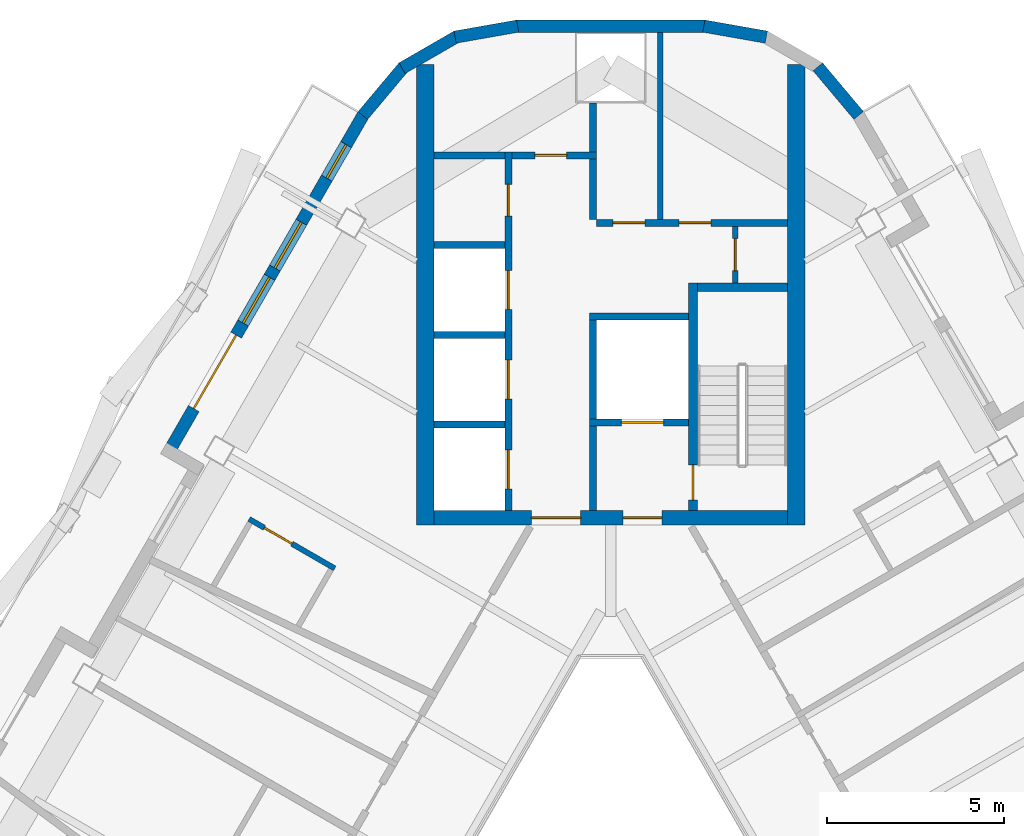
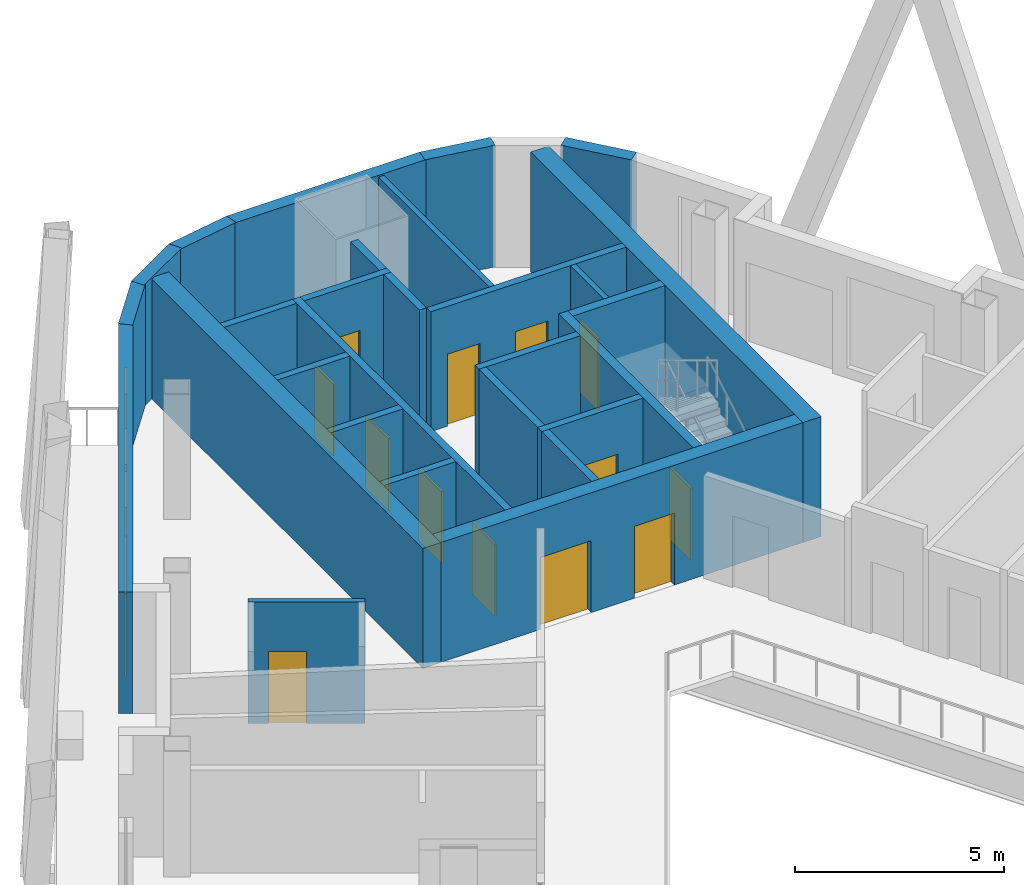
# One storey, part 7 of 14: 28 walls, 14 doors, 3 windows, 17 openings.
"""IFC4 building model written with IfcOpenShell, lengths in metres."""

from ifc_helpers import new_model, si_unit, direction, frame, frame_2d, origin, place, context, subcontext, project, spatial, rectangle, extrude, material, layer, layer_set, type_object, element, fill, save


model = new_model("IFC4")

# Units and contexts
model_context = context("Model", 3, precision=1e-05, world=origin(), true_north=direction((0.0, 1.0)))
body_context = subcontext(model_context, "Body", "Model", "MODEL_VIEW")
ifc_project = project(units=[si_unit("LENGTHUNIT", "METRE"), si_unit("AREAUNIT", "SQUARE_METRE"), si_unit("VOLUMEUNIT", "CUBIC_METRE"), si_unit("PLANEANGLEUNIT", "RADIAN"), si_unit("MASSUNIT", "GRAM", prefix="KILO")], contexts=[model_context])

# Site, building, storey
site_placement = place(None, origin())
site = spatial("IfcSite", under=ifc_project, at=site_placement, CompositionType="ELEMENT")
building_placement = place(site_placement, origin())
building = spatial("IfcBuilding", under=site, at=building_placement, Name="Apuvela Tower Hotel", CompositionType="ELEMENT")
storey_placement = place(building_placement, frame((0.0, 0.0, 268.89990234375)))
storey = spatial("IfcBuildingStorey", under=building, at=storey_placement, Name="L66", CompositionType="ELEMENT", Elevation=268.89990234375)

# Wall, openings, doors
ifc_material_1 = material(Name="Concrete C50/60", Category="concrete")
ifc_layer_1 = layer(ifc_material_1, 0.39990234375)
ifc_layer_set_1 = layer_set([ifc_layer_1], Name="COR-WALL-CORE-400")
wall_type_1 = type_object("IfcWallType", Name="COR-WALL-CORE-400", PredefinedType="SHEAR", material=ifc_layer_set_1)
wall_1_placement = place(storey_placement, frame((5.0, 13.10009765625, 0.0), z_axis=(0.0, 0.0, 1.0), x_axis=(-1.0, 0.0, 0.0)))
wall_1 = element("IfcWall", 1, at=wall_1_placement, inside=storey, type_object=wall_type_1, Name="Core wall N", PredefinedType="SHEAR", context=body_context, shape_type="SweptSolid", body=[
    extrude(rectangle(XDim=10.0, YDim=0.39990234375, at=frame_2d((5.0, 0.0))), origin(), (0.0, 0.0, 1.0), 3.5),
])
opening_1_placement = place(wall_1_placement, frame((3.550048828125, 0.0, 0.0)))
opening_1 = element("IfcOpeningElement", 2, at=opening_1_placement, cuts=wall_1, Name="Opening N-FD", PredefinedType="OPENING", context=body_context, shape_type="SweptSolid", body=[
    extrude(rectangle(XDim=1.10009765625, YDim=2.10009765625, at=frame_2d((0.550048828125, 1.050048828125))), frame((0.0, 0.2099609375, 0.0), z_axis=(0.0, -1.0, 0.0), x_axis=(1.0, 0.0, 0.0)), (0.0, 0.0, 1.0), 0.419921875),
])
opening_2_placement = place(wall_1_placement, frame((5.85009765625, 0.0, 0.0)))
opening_2 = element("IfcOpeningElement", 3, at=opening_2_placement, cuts=wall_1, Name="Opening N-GD", PredefinedType="OPENING", context=body_context, shape_type="SweptSolid", body=[
    extrude(rectangle(XDim=1.39990234375, YDim=2.10009765625, at=frame_2d((0.699951171875, 1.050048828125))), frame((0.0, 0.2099609375, 0.0), z_axis=(0.0, -1.0, 0.0), x_axis=(1.0, 0.0, 0.0)), (0.0, 0.0, 1.0), 0.419921875),
])
ifc_material_2 = material(Name="Steel fire door, powder coated", Category="steel")
door_type_1 = type_object("IfcDoorType", Name="COR-FD-1100", OperationType="NOTDEFINED", PredefinedType="DOOR", material=ifc_material_2)
door_1_placement = place(opening_1_placement, frame((1.10009765625, 0.0, 0.0), z_axis=(0.0, 0.0, 1.0), x_axis=(-1.0, 0.0, 0.0)))
door_1 = element("IfcDoor", 4, at=door_1_placement, inside=storey, type_object=door_type_1, Name="Firefighting lobby door N-FD", OperationType="SINGLE_SWING_LEFT", OverallHeight=2.10009765625, OverallWidth=1.10009765625, PredefinedType="DOOR", context=body_context, shape_type="SweptSolid", body=[
    extrude(rectangle(XDim=1.10009765625, YDim=2.10009765625, at=frame_2d((0.550048828125, 1.050048828125))), frame((0.0, 0.02490234375, 0.0), z_axis=(0.0, -1.0, 0.0), x_axis=(1.0, 0.0, 0.0)), (0.0, 0.0, 1.0), 0.050048828125),
])
fill(opening_1, door_1)
ifc_material_3 = material(Name="Glazed steel fire door", Category="steel")
door_type_2 = type_object("IfcDoorType", Name="COR-GD-1400", OperationType="DOUBLE_DOOR_SINGLE_SWING", PredefinedType="DOOR", material=ifc_material_3)
door_2_placement = place(opening_2_placement, frame((1.39990234375, 0.0, 0.0), z_axis=(0.0, 0.0, 1.0), x_axis=(-1.0, 0.0, 0.0)))
door_2 = element("IfcDoor", 5, at=door_2_placement, inside=storey, type_object=door_type_2, Name="Lift lobby door N-GD", OperationType="DOUBLE_DOOR_SINGLE_SWING", OverallHeight=2.10009765625, OverallWidth=1.39990234375, PredefinedType="DOOR", context=body_context, shape_type="SweptSolid", body=[
    extrude(rectangle(XDim=1.39990234375, YDim=2.10009765625, at=frame_2d((0.699951171875, 1.050048828125))), frame((0.0, 0.02490234375, 0.0), z_axis=(0.0, -1.0, 0.0), x_axis=(1.0, 0.0, 0.0)), (0.0, 0.0, 1.0), 0.050048828125),
])
fill(opening_2, door_2)

# Walls
ifc_layer_2 = layer(ifc_material_1, 0.5)
ifc_layer_set_2 = layer_set([ifc_layer_2], Name="COR-WALL-CORE-500")
wall_type_2 = type_object("IfcWallType", Name="COR-WALL-CORE-500", PredefinedType="SHEAR", material=ifc_layer_set_2)
for number, where, z_axis, x_axis, name in (
    (6, (5.25, 12.89990234375, 0.0), (0.0, 0.0, 1.0), (0.0, 1.0, 0.0), "Core wall N"),
    (7, (-5.25, 12.89990234375, 0.0), (0.0, 0.0, 1.0), (0.0, 1.0, 0.0), "Core wall N"),
):
    element("IfcWall", number, at=place(storey_placement, frame(where, z_axis=z_axis, x_axis=x_axis)), inside=storey, type_object=wall_type_2, Name=name, PredefinedType="SHEAR", context=body_context, shape_type="SweptSolid", body=[
        extrude(rectangle(XDim=13.031494140625, YDim=0.5, at=frame_2d((6.515625, 0.0))), origin(), (0.0, 0.0, 1.0), 3.5),
    ])

# Wall, opening, door
ifc_material_4 = material(Name="Blockwork 150 mm plastered", Category="masonry")
ifc_layer_3 = layer(ifc_material_4, 0.14990234375)
ifc_layer_set_3 = layer_set([ifc_layer_3], Name="COR-WALL-PART-150")
wall_type_3 = type_object("IfcWallType", Name="COR-WALL-PART-150", PredefinedType="PARTITIONING", material=ifc_layer_set_3)
wall_2_placement = place(storey_placement, frame((3.52490234375, 19.75, 0.0), z_axis=(0.0, 0.0, 1.0), x_axis=(0.0, 1.0, 0.0)))
wall_2 = element("IfcWall", 8, at=wall_2_placement, inside=storey, type_object=wall_type_3, Name="Partition N", PredefinedType="PARTITIONING", context=body_context, shape_type="SweptSolid", body=[
    extrude(rectangle(XDim=1.60009765625, YDim=0.14990234375, at=frame_2d((0.800048828125, 0.0))), origin(), (0.0, 0.0, 1.0), 3.5),
])
opening_3_placement = place(wall_2_placement, frame((0.35009765625, 0.0, 0.0)))
opening_3 = element("IfcOpeningElement", 9, at=opening_3_placement, cuts=wall_2, Name="Opening N-RD", PredefinedType="OPENING", context=body_context, shape_type="SweptSolid", body=[
    extrude(rectangle(XDim=0.89990234375, YDim=2.10009765625, at=frame_2d((0.449951171875, 1.050048828125))), frame((0.0, 0.0849609375, 0.0), z_axis=(0.0, -1.0, 0.0), x_axis=(1.0, 0.0, 0.0)), (0.0, 0.0, 1.0), 0.169921875),
])
ifc_material_5 = material(Name="Steel access door, powder coated", Category="steel")
door_type_3 = type_object("IfcDoorType", Name="COR-RD-900", OperationType="NOTDEFINED", PredefinedType="DOOR", material=ifc_material_5)
door_3_placement = place(opening_3_placement, frame((0.89990234375, 0.0, 0.0), z_axis=(0.0, 0.0, 1.0), x_axis=(-1.0, 0.0, 0.0)))
door_3 = element("IfcDoor", 10, at=door_3_placement, inside=storey, type_object=door_type_3, Name="Riser door N-RD", OperationType="SINGLE_SWING_RIGHT", OverallHeight=2.10009765625, OverallWidth=0.89990234375, PredefinedType="DOOR", context=body_context, shape_type="SweptSolid", body=[
    extrude(rectangle(XDim=0.89990234375, YDim=2.10009765625, at=frame_2d((0.449951171875, 1.050048828125))), frame((0.0, 0.02490234375, 0.0), z_axis=(0.0, -1.0, 0.0), x_axis=(1.0, 0.0, 0.0)), (0.0, 0.0, 1.0), 0.050048828125),
])
fill(opening_3, door_3)

# Wall
wall_3_placement = place(storey_placement, frame((1.39990234375, 21.550048828125, 0.0), z_axis=(0.0, 0.0, 1.0), x_axis=(0.0, 1.0, 0.0)))
element("IfcWall", 11, at=wall_3_placement, inside=storey, type_object=wall_type_3, Name="Partition N", PredefinedType="PARTITIONING", context=body_context, shape_type="SweptSolid", body=[
    extrude(rectangle(XDim=5.29248046875, YDim=0.14990234375, at=frame_2d((2.646240234375, 0.0))), origin(), (0.0, 0.0, 1.0), 3.5),
])

# Wall, openings, doors
ifc_material_6 = material(Name="Blockwork 200 mm plastered", Category="masonry")
ifc_layer_4 = layer(ifc_material_6, 0.199951171875)
ifc_layer_set_4 = layer_set([ifc_layer_4], Name="COR-WALL-PART-200")
wall_type_4 = type_object("IfcWallType", Name="COR-WALL-PART-200", PredefinedType="PARTITIONING", material=ifc_layer_set_4)
wall_4_placement = place(storey_placement, frame((5.0, 21.449951171875, 0.0), z_axis=(0.0, 0.0, 1.0), x_axis=(-1.0, 0.0, 0.0)))
wall_4 = element("IfcWall", 12, at=wall_4_placement, inside=storey, type_object=wall_type_4, Name="Partition N", PredefinedType="PARTITIONING", context=body_context, shape_type="SweptSolid", body=[
    extrude(rectangle(XDim=5.39990234375, YDim=0.199951171875, at=frame_2d((2.699951171875, 0.0))), origin(), (0.0, 0.0, 1.0), 3.5),
])
opening_4_placement = place(wall_4_placement, frame((2.16259765625, 0.0, 0.0)))
opening_4 = element("IfcOpeningElement", 13, at=opening_4_placement, cuts=wall_4, Name="Opening N-RS1", PredefinedType="OPENING", context=body_context, shape_type="SweptSolid", body=[
    extrude(rectangle(XDim=0.89990234375, YDim=2.10009765625, at=frame_2d((0.449951171875, 1.050048828125))), frame((0.0, 0.10986328125, 0.0), z_axis=(0.0, -1.0, 0.0), x_axis=(1.0, 0.0, 0.0)), (0.0, 0.0, 1.0), 0.219970703125),
])
opening_5_placement = place(wall_4_placement, frame((4.03759765625, 0.0, 0.0)))
opening_5 = element("IfcOpeningElement", 14, at=opening_5_placement, cuts=wall_4, Name="Opening N-RS2", PredefinedType="OPENING", context=body_context, shape_type="SweptSolid", body=[
    extrude(rectangle(XDim=0.89990234375, YDim=2.10009765625, at=frame_2d((0.449951171875, 1.050048828125))), frame((0.0, 0.10986328125, 0.0), z_axis=(0.0, -1.0, 0.0), x_axis=(1.0, 0.0, 0.0)), (0.0, 0.0, 1.0), 0.219970703125),
])
door_type_4 = type_object("IfcDoorType", Name="COR-DR-900", OperationType="NOTDEFINED", PredefinedType="DOOR", material=ifc_material_2)
door_4_placement = place(opening_4_placement, frame((0.89990234375, 0.0, 0.0), z_axis=(0.0, 0.0, 1.0), x_axis=(-1.0, 0.0, 0.0)))
door_4 = element("IfcDoor", 15, at=door_4_placement, inside=storey, type_object=door_type_4, Name="Store door N-RS1", OperationType="SINGLE_SWING_LEFT", OverallHeight=2.10009765625, OverallWidth=0.89990234375, PredefinedType="DOOR", context=body_context, shape_type="SweptSolid", body=[
    extrude(rectangle(XDim=0.89990234375, YDim=2.10009765625, at=frame_2d((0.449951171875, 1.050048828125))), frame((0.0, 0.02490234375, 0.0), z_axis=(0.0, -1.0, 0.0), x_axis=(1.0, 0.0, 0.0)), (0.0, 0.0, 1.0), 0.050048828125),
])
fill(opening_4, door_4)
door_5_placement = place(opening_5_placement, frame((0.89990234375, 0.0, 0.0), z_axis=(0.0, 0.0, 1.0), x_axis=(-1.0, 0.0, 0.0)))
door_5 = element("IfcDoor", 16, at=door_5_placement, inside=storey, type_object=door_type_4, Name="Store door N-RS2", OperationType="SINGLE_SWING_RIGHT", OverallHeight=2.10009765625, OverallWidth=0.89990234375, PredefinedType="DOOR", context=body_context, shape_type="SweptSolid", body=[
    extrude(rectangle(XDim=0.89990234375, YDim=2.10009765625, at=frame_2d((0.449951171875, 1.050048828125))), frame((0.0, 0.02490234375, 0.0), z_axis=(0.0, -1.0, 0.0), x_axis=(1.0, 0.0, 0.0)), (0.0, 0.0, 1.0), 0.050048828125),
])
fill(opening_5, door_5)

# Wall
ifc_layer_5 = layer(ifc_material_1, 0.199951171875)
ifc_layer_set_5 = layer_set([ifc_layer_5], Name="COR-WALL-SHAFT-200")
wall_type_5 = type_object("IfcWallType", Name="COR-WALL-SHAFT-200", PredefinedType="SHEAR", material=ifc_layer_set_5)
wall_5_placement = place(storey_placement, frame((2.199951171875, 18.800048828125, 0.0), z_axis=(0.0, 0.0, 1.0), x_axis=(-1.0, 0.0, 0.0)))
element("IfcWall", 17, at=wall_5_placement, inside=storey, type_object=wall_type_5, Name="Shaft wall N", PredefinedType="SHEAR", context=body_context, shape_type="SweptSolid", body=[
    extrude(rectangle(XDim=2.800048828125, YDim=0.199951171875, at=frame_2d((1.39990234375, 0.0))), origin(), (0.0, 0.0, 1.0), 3.5),
])

# Wall, opening, door
wall_6_placement = place(storey_placement, frame((2.199951171875, 15.800048828125, 0.0), z_axis=(0.0, 0.0, 1.0), x_axis=(-1.0, 0.0, 0.0)))
wall_6 = element("IfcWall", 18, at=wall_6_placement, inside=storey, type_object=wall_type_5, Name="Shaft wall N", PredefinedType="SHEAR", context=body_context, shape_type="SweptSolid", body=[
    extrude(rectangle(XDim=2.800048828125, YDim=0.199951171875, at=frame_2d((1.39990234375, 0.0))), origin(), (0.0, 0.0, 1.0), 3.5),
])
opening_6_placement = place(wall_6_placement, frame((0.699951171875, 0.0, 0.0)))
opening_6 = element("IfcOpeningElement", 19, at=opening_6_placement, cuts=wall_6, Name="Opening N-LD-FS1", PredefinedType="OPENING", context=body_context, shape_type="SweptSolid", body=[
    extrude(rectangle(XDim=1.199951171875, YDim=2.10009765625, at=frame_2d((0.60009765625, 1.050048828125))), frame((0.0, 0.10986328125, 0.0), z_axis=(0.0, -1.0, 0.0), x_axis=(1.0, 0.0, 0.0)), (0.0, 0.0, 1.0), 0.219970703125),
])
ifc_material_7 = material(Name="Stainless steel lift landing door", Category="steel")
door_type_5 = type_object("IfcDoorType", Name="COR-LD-1200", OperationType="DOUBLE_DOOR_SLIDING", PredefinedType="DOOR", material=ifc_material_7)
door_6_placement = place(opening_6_placement, origin())
door_6 = element("IfcDoor", 20, at=door_6_placement, inside=storey, type_object=door_type_5, Name="Lift landing door N-LD-FS1", OperationType="DOUBLE_DOOR_SLIDING", OverallHeight=2.10009765625, OverallWidth=1.199951171875, PredefinedType="DOOR", context=body_context, shape_type="SweptSolid", body=[
    extrude(rectangle(XDim=1.199951171875, YDim=2.10009765625, at=frame_2d((0.60009765625, 1.050048828125))), frame((0.0, 0.02490234375, 0.0), z_axis=(0.0, -1.0, 0.0), x_axis=(1.0, 0.0, 0.0)), (0.0, 0.0, 1.0), 0.050048828125),
])
fill(opening_6, door_6)

# Walls
wall_7_placement = place(storey_placement, frame((-0.5, 15.89990234375, 0.0), z_axis=(0.0, 0.0, 1.0), x_axis=(0.0, 1.0, 0.0)))
element("IfcWall", 21, at=wall_7_placement, inside=storey, type_object=wall_type_5, Name="Shaft wall N", PredefinedType="SHEAR", context=body_context, shape_type="SweptSolid", body=[
    extrude(rectangle(XDim=2.800048828125, YDim=0.199951171875, at=frame_2d((1.39990234375, 0.0))), origin(), (0.0, 0.0, 1.0), 3.5),
])
wall_8_placement = place(storey_placement, frame((-0.5, 13.300048828125, 0.0), z_axis=(0.0, 0.0, 1.0), x_axis=(0.0, 1.0, 0.0)))
element("IfcWall", 22, at=wall_8_placement, inside=storey, type_object=wall_type_5, Name="Shaft wall N", PredefinedType="SHEAR", context=body_context, shape_type="SweptSolid", body=[
    extrude(rectangle(XDim=2.39990234375, YDim=0.199951171875, at=frame_2d((1.199951171875, 0.0))), origin(), (0.0, 0.0, 1.0), 3.5),
])

# Wall, openings, doors
wall_9_placement = place(storey_placement, frame((-2.89990234375, 13.300048828125, 0.0), z_axis=(0.0, 0.0, 1.0), x_axis=(0.0, 1.0, 0.0)))
wall_9 = element("IfcWall", 23, at=wall_9_placement, inside=storey, type_object=wall_type_5, Name="Shaft wall N", PredefinedType="SHEAR", context=body_context, shape_type="SweptSolid", body=[
    extrude(rectangle(XDim=10.159912109375, YDim=0.199951171875, at=frame_2d((5.080078125, 0.0))), origin(), (0.0, 0.0, 1.0), 3.5),
])
opening_7_placement = place(wall_9_placement, frame((0.6201171875, 0.0, 0.0)))
opening_7 = element("IfcOpeningElement", 24, at=opening_7_placement, cuts=wall_9, Name="Opening N-LD-HR1", PredefinedType="OPENING", context=body_context, shape_type="SweptSolid", body=[
    extrude(rectangle(XDim=1.10009765625, YDim=2.10009765625, at=frame_2d((0.550048828125, 1.050048828125))), frame((0.0, 0.10986328125, 0.0), z_axis=(0.0, -1.0, 0.0), x_axis=(1.0, 0.0, 0.0)), (0.0, 0.0, 1.0), 0.219970703125),
])
opening_8_placement = place(wall_9_placement, frame((3.159912109375, 0.0, 0.0)))
opening_8 = element("IfcOpeningElement", 25, at=opening_8_placement, cuts=wall_9, Name="Opening N-LD-HR2", PredefinedType="OPENING", context=body_context, shape_type="SweptSolid", body=[
    extrude(rectangle(XDim=1.10009765625, YDim=2.10009765625, at=frame_2d((0.550048828125, 1.050048828125))), frame((0.0, 0.10986328125, 0.0), z_axis=(0.0, -1.0, 0.0), x_axis=(1.0, 0.0, 0.0)), (0.0, 0.0, 1.0), 0.219970703125),
])
opening_9_placement = place(wall_9_placement, frame((5.699951171875, 0.0, 0.0)))
opening_9 = element("IfcOpeningElement", 26, at=opening_9_placement, cuts=wall_9, Name="Opening N-LD-HR4", PredefinedType="OPENING", context=body_context, shape_type="SweptSolid", body=[
    extrude(rectangle(XDim=1.10009765625, YDim=2.10009765625, at=frame_2d((0.550048828125, 1.050048828125))), frame((0.0, 0.10986328125, 0.0), z_axis=(0.0, -1.0, 0.0), x_axis=(1.0, 0.0, 0.0)), (0.0, 0.0, 1.0), 0.219970703125),
])
opening_10_placement = place(wall_9_placement, frame((8.340087890625, 0.0, 0.0)))
opening_10 = element("IfcOpeningElement", 27, at=opening_10_placement, cuts=wall_9, Name="Opening N-RE4", PredefinedType="OPENING", context=body_context, shape_type="SweptSolid", body=[
    extrude(rectangle(XDim=0.89990234375, YDim=2.10009765625, at=frame_2d((0.449951171875, 1.050048828125))), frame((0.0, 0.10986328125, 0.0), z_axis=(0.0, -1.0, 0.0), x_axis=(1.0, 0.0, 0.0)), (0.0, 0.0, 1.0), 0.219970703125),
])
door_7_placement = place(opening_10_placement, origin())
door_7 = element("IfcDoor", 28, at=door_7_placement, inside=storey, type_object=door_type_4, Name="Store door N-RE4", OperationType="SINGLE_SWING_LEFT", OverallHeight=2.10009765625, OverallWidth=0.89990234375, PredefinedType="DOOR", context=body_context, shape_type="SweptSolid", body=[
    extrude(rectangle(XDim=0.89990234375, YDim=2.10009765625, at=frame_2d((0.449951171875, 1.050048828125))), frame((0.0, 0.02490234375, 0.0), z_axis=(0.0, -1.0, 0.0), x_axis=(1.0, 0.0, 0.0)), (0.0, 0.0, 1.0), 0.050048828125),
])
fill(opening_10, door_7)
door_type_6 = type_object("IfcDoorType", Name="COR-LD-1100", OperationType="DOUBLE_DOOR_SLIDING", PredefinedType="DOOR", material=ifc_material_7)
door_8_placement = place(opening_7_placement, origin())
door_8 = element("IfcDoor", 29, at=door_8_placement, inside=storey, type_object=door_type_6, Name="Lift landing door N-LD-HR1", OperationType="DOUBLE_DOOR_SLIDING", OverallHeight=2.10009765625, OverallWidth=1.10009765625, PredefinedType="DOOR", context=body_context, shape_type="SweptSolid", body=[
    extrude(rectangle(XDim=1.10009765625, YDim=2.10009765625, at=frame_2d((0.550048828125, 1.050048828125))), frame((0.0, 0.02490234375, 0.0), z_axis=(0.0, -1.0, 0.0), x_axis=(1.0, 0.0, 0.0)), (0.0, 0.0, 1.0), 0.050048828125),
])
fill(opening_7, door_8)
door_9_placement = place(opening_8_placement, origin())
door_9 = element("IfcDoor", 30, at=door_9_placement, inside=storey, type_object=door_type_6, Name="Lift landing door N-LD-HR2", OperationType="DOUBLE_DOOR_SLIDING", OverallHeight=2.10009765625, OverallWidth=1.10009765625, PredefinedType="DOOR", context=body_context, shape_type="SweptSolid", body=[
    extrude(rectangle(XDim=1.10009765625, YDim=2.10009765625, at=frame_2d((0.550048828125, 1.050048828125))), frame((0.0, 0.02490234375, 0.0), z_axis=(0.0, -1.0, 0.0), x_axis=(1.0, 0.0, 0.0)), (0.0, 0.0, 1.0), 0.050048828125),
])
fill(opening_8, door_9)
door_10_placement = place(opening_9_placement, origin())
door_10 = element("IfcDoor", 31, at=door_10_placement, inside=storey, type_object=door_type_6, Name="Lift landing door N-LD-HR4", OperationType="DOUBLE_DOOR_SLIDING", OverallHeight=2.10009765625, OverallWidth=1.10009765625, PredefinedType="DOOR", context=body_context, shape_type="SweptSolid", body=[
    extrude(rectangle(XDim=1.10009765625, YDim=2.10009765625, at=frame_2d((0.550048828125, 1.050048828125))), frame((0.0, 0.02490234375, 0.0), z_axis=(0.0, -1.0, 0.0), x_axis=(1.0, 0.0, 0.0)), (0.0, 0.0, 1.0), 0.050048828125),
])
fill(opening_9, door_10)

# Wall, opening, door
wall_10_placement = place(storey_placement, frame((-0.39990234375, 23.360107421875, 0.0), z_axis=(0.0, 0.0, 1.0), x_axis=(-1.0, 0.0, 0.0)))
wall_10 = element("IfcWall", 32, at=wall_10_placement, inside=storey, type_object=wall_type_5, Name="Shaft wall N", PredefinedType="SHEAR", context=body_context, shape_type="SweptSolid", body=[
    extrude(rectangle(XDim=2.400146484375, YDim=0.199951171875, at=frame_2d((1.2001953125, 0.0))), origin(), (0.0, 0.0, 1.0), 3.5),
])
opening_11_placement = place(wall_10_placement, frame((0.85009765625, 0.0, 0.0)))
opening_11 = element("IfcOpeningElement", 33, at=opening_11_placement, cuts=wall_10, Name="Opening N-REP", PredefinedType="OPENING", context=body_context, shape_type="SweptSolid", body=[
    extrude(rectangle(XDim=0.89990234375, YDim=2.10009765625, at=frame_2d((0.449951171875, 1.050048828125))), frame((0.0, 0.10986328125, 0.0), z_axis=(0.0, -1.0, 0.0), x_axis=(1.0, 0.0, 0.0)), (0.0, 0.0, 1.0), 0.219970703125),
])
door_11_placement = place(opening_11_placement, frame((0.89990234375, 0.0, 0.0), z_axis=(0.0, 0.0, 1.0), x_axis=(-1.0, 0.0, 0.0)))
door_11 = element("IfcDoor", 34, at=door_11_placement, inside=storey, type_object=door_type_4, Name="Store door N-REP", OperationType="SINGLE_SWING_LEFT", OverallHeight=2.10009765625, OverallWidth=0.89990234375, PredefinedType="DOOR", context=body_context, shape_type="SweptSolid", body=[
    extrude(rectangle(XDim=0.89990234375, YDim=2.10009765625, at=frame_2d((0.449951171875, 1.050048828125))), frame((0.0, 0.02490234375, 0.0), z_axis=(0.0, -1.0, 0.0), x_axis=(1.0, 0.0, 0.0)), (0.0, 0.0, 1.0), 0.050048828125),
])
fill(opening_11, door_11)

# Walls
wall_11_placement = place(storey_placement, frame((-0.5, 21.550048828125, 0.0), z_axis=(0.0, 0.0, 1.0), x_axis=(0.0, 1.0, 0.0)))
element("IfcWall", 35, at=wall_11_placement, inside=storey, type_object=wall_type_5, Name="Shaft wall N", PredefinedType="SHEAR", context=body_context, shape_type="SweptSolid", body=[
    extrude(rectangle(XDim=1.7099609375, YDim=0.199951171875, at=frame_2d((0.85498046875, 0.0))), origin(), (0.0, 0.0, 1.0), 3.5),
])
for number, where, z_axis, x_axis, name in (
    (36, (-3.0, 15.739990234375, 0.0), (0.0, 0.0, 1.0), (-1.0, 0.0, 0.0), "Shaft wall N"),
    (37, (-3.0, 18.280029296875, 0.0), (0.0, 0.0, 1.0), (-1.0, 0.0, 0.0), "Shaft wall N"),
    (38, (-3.0, 20.820068359375, 0.0), (0.0, 0.0, 1.0), (-1.0, 0.0, 0.0), "Shaft wall N"),
    (39, (-3.0, 23.360107421875, 0.0), (0.0, 0.0, 1.0), (-1.0, 0.0, 0.0), "Shaft wall N"),
):
    element("IfcWall", number, at=place(storey_placement, frame(where, z_axis=z_axis, x_axis=x_axis)), inside=storey, type_object=wall_type_5, Name=name, PredefinedType="SHEAR", context=body_context, shape_type="SweptSolid", body=[
        extrude(rectangle(XDim=2.0, YDim=0.199951171875, at=frame_2d((1.0, 0.0))), origin(), (0.0, 0.0, 1.0), 3.5),
    ])
wall_12_placement = place(storey_placement, frame((-0.5, 23.4599609375, 0.0), z_axis=(0.0, 0.0, 1.0), x_axis=(0.0, 1.0, 0.0)))
element("IfcWall", 40, at=wall_12_placement, inside=storey, type_object=wall_type_5, Name="Shaft wall N", PredefinedType="SHEAR", context=body_context, shape_type="SweptSolid", body=[
    extrude(rectangle(XDim=1.382568359375, YDim=0.199951171875, at=frame_2d((0.69140625, 0.0))), origin(), (0.0, 0.0, 1.0), 3.5),
])

# Wall, opening, door
ifc_layer_6 = layer(ifc_material_1, 0.25)
ifc_layer_set_6 = layer_set([ifc_layer_6], Name="COR-WALL-STAIR-250")
wall_type_6 = type_object("IfcWallType", Name="COR-WALL-STAIR-250", PredefinedType="SHEAR", material=ifc_layer_set_6)
wall_13_placement = place(storey_placement, frame((2.324951171875, 13.300048828125, 0.0), z_axis=(0.0, 0.0, 1.0), x_axis=(0.0, 1.0, 0.0)))
wall_13 = element("IfcWall", 41, at=wall_13_placement, inside=storey, type_object=wall_type_6, Name="Stair wall N", PredefinedType="SHEAR", context=body_context, shape_type="SweptSolid", body=[
    extrude(rectangle(XDim=6.449951171875, YDim=0.25, at=frame_2d((3.22509765625, 0.0))), origin(), (0.0, 0.0, 1.0), 3.5),
])
opening_12_placement = place(wall_13_placement, frame((0.300048828125, 0.0, 0.0)))
opening_12 = element("IfcOpeningElement", 42, at=opening_12_placement, cuts=wall_13, Name="Opening N-SD", PredefinedType="OPENING", context=body_context, shape_type="SweptSolid", body=[
    extrude(rectangle(XDim=1.0, YDim=2.10009765625, at=frame_2d((0.5, 1.050048828125))), frame((0.0, 0.135009765625, 0.0), z_axis=(0.0, -1.0, 0.0), x_axis=(1.0, 0.0, 0.0)), (0.0, 0.0, 1.0), 0.27001953125),
])
door_type_7 = type_object("IfcDoorType", Name="COR-SD-1000", OperationType="NOTDEFINED", PredefinedType="DOOR", material=ifc_material_2)
door_12_placement = place(opening_12_placement, frame((1.0, 0.0, 0.0), z_axis=(0.0, 0.0, 1.0), x_axis=(-1.0, 0.0, 0.0)))
door_12 = element("IfcDoor", 43, at=door_12_placement, inside=storey, type_object=door_type_7, Name="Stair door N-SD", OperationType="SINGLE_SWING_LEFT", OverallHeight=2.10009765625, OverallWidth=1.0, PredefinedType="DOOR", context=body_context, shape_type="SweptSolid", body=[
    extrude(rectangle(XDim=1.0, YDim=2.10009765625, at=frame_2d((0.5, 1.050048828125))), frame((0.0, 0.02490234375, 0.0), z_axis=(0.0, -1.0, 0.0), x_axis=(1.0, 0.0, 0.0)), (0.0, 0.0, 1.0), 0.050048828125),
])
fill(opening_12, door_12)

# Wall
wall_14_placement = place(storey_placement, frame((5.0, 19.625, 0.0), z_axis=(0.0, 0.0, 1.0), x_axis=(-1.0, 0.0, 0.0)))
element("IfcWall", 44, at=wall_14_placement, inside=storey, type_object=wall_type_6, Name="Stair wall N", PredefinedType="SHEAR", context=body_context, shape_type="SweptSolid", body=[
    extrude(rectangle(XDim=2.550048828125, YDim=0.25, at=frame_2d((1.27490234375, 0.0))), origin(), (0.0, 0.0, 1.0), 3.5),
])

# Wall, openings, door, windows
ifc_material_8 = material(Name="Concrete C40/50, dark pigmented precast panel", Category="concrete")
ifc_layer_7 = layer(ifc_material_8, 0.35009765625)
ifc_layer_set_7 = layer_set([ifc_layer_7], Name="ENV-WALL-350")
wall_type_7 = type_object("IfcWallType", Name="ENV-WALL-350", PredefinedType="SOLIDWALL", material=ifc_layer_set_7)
wall_15_placement = place(storey_placement, frame((-7.001953125, 24.513916015625, 0.0), z_axis=(0.0, 0.0, 1.0), x_axis=(-0.500000830309, -0.866024924405, 0.0)))
wall_15 = element("IfcWall", 45, at=wall_15_placement, inside=storey, type_object=wall_type_7, Name="External wall L66-01", PredefinedType="SOLIDWALL", context=body_context, shape_type="SweptSolid", body=[
    extrude(rectangle(XDim=11.18505859375, YDim=0.35009765625, at=frame_2d((5.592529296875, 0.0))), origin(), (0.0, 0.0, 1.0), 3.550048828125),
])
opening_13_placement = place(wall_15_placement, frame((0.97900390625, 0.0, 0.300048828125)))
opening_13 = element("IfcOpeningElement", 46, at=opening_13_placement, cuts=wall_15, Name="Opening WN11", PredefinedType="OPENING", context=body_context, shape_type="SweptSolid", body=[
    extrude(rectangle(XDim=1.10009765625, YDim=2.64990234375, at=frame_2d((0.550048828125, 1.324951171875))), frame((0.0, 0.18505859375, 0.0), z_axis=(0.0, -1.0, 0.0), x_axis=(1.0, 0.0, 0.0)), (0.0, 0.0, 1.0), 0.3701171875),
])
opening_14_placement = place(wall_15_placement, frame((7.209716796875, 0.0, 0.0)))
opening_14 = element("IfcOpeningElement", 47, at=opening_14_placement, cuts=wall_15, Name="Opening BD24", PredefinedType="OPENING", context=body_context, shape_type="SweptSolid", body=[
    extrude(rectangle(XDim=2.39990234375, YDim=2.39990234375, at=frame_2d((1.199951171875, 1.199951171875))), frame((0.0, 0.18505859375, 0.0), z_axis=(0.0, -1.0, 0.0), x_axis=(1.0, 0.0, 0.0)), (0.0, 0.0, 1.0), 0.3701171875),
])
opening_15_placement = place(wall_15_placement, frame((3.5166015625, 0.0, 0.300048828125)))
opening_15 = element("IfcOpeningElement", 48, at=opening_15_placement, cuts=wall_15, Name="Opening WN15", PredefinedType="OPENING", context=body_context, shape_type="SweptSolid", body=[
    extrude(rectangle(XDim=1.5, YDim=2.64990234375, at=frame_2d((0.75, 1.324951171875))), frame((0.0, 0.18505859375, 0.0), z_axis=(0.0, -1.0, 0.0), x_axis=(1.0, 0.0, 0.0)), (0.0, 0.0, 1.0), 0.3701171875),
])
opening_16_placement = place(wall_15_placement, frame((5.31640625, 0.0, 0.300048828125)))
opening_16 = element("IfcOpeningElement", 49, at=opening_16_placement, cuts=wall_15, Name="Opening WN15", PredefinedType="OPENING", context=body_context, shape_type="SweptSolid", body=[
    extrude(rectangle(XDim=1.5, YDim=2.64990234375, at=frame_2d((0.75, 1.324951171875))), frame((0.0, 0.18505859375, 0.0), z_axis=(0.0, -1.0, 0.0), x_axis=(1.0, 0.0, 0.0)), (0.0, 0.0, 1.0), 0.3701171875),
])
ifc_material_9 = material(Name="Aluminium 6063-T6, dark bronze anodised frame with dark tinted laminated glass", Category="aluminium")
door_type_8 = type_object("IfcDoorType", Name="ENV-DOOR-BALCONY-2400x2400", OperationType="SLIDING_TO_LEFT", PredefinedType="DOOR", material=ifc_material_9)
door_13_placement = place(opening_14_placement, frame((2.39990234375, 0.0, 0.0), z_axis=(0.0, 0.0, 1.0), x_axis=(-1.0, 0.0, 0.0)))
door_13 = element("IfcDoor", 50, at=door_13_placement, inside=storey, type_object=door_type_8, Name="Balcony door BD24", OperationType="SLIDING_TO_LEFT", OverallHeight=2.39990234375, OverallWidth=2.39990234375, PredefinedType="DOOR", context=body_context, shape_type="SweptSolid", body=[
    extrude(rectangle(XDim=2.39990234375, YDim=2.39990234375, at=frame_2d((1.199951171875, 1.199951171875))), frame((0.0, 0.02490234375, 0.0), z_axis=(0.0, -1.0, 0.0), x_axis=(1.0, 0.0, 0.0)), (0.0, 0.0, 1.0), 0.050048828125),
])
fill(opening_14, door_13)
ifc_material_10 = material(Name="Glass, dark tinted laminated insulated glazing unit", Category="glass")
window_type_1 = type_object("IfcWindowType", Name="ENV-WIN-1100x2650", PartitioningType="SINGLE_PANEL", PredefinedType="WINDOW", material=ifc_material_10)
window_1_placement = place(opening_13_placement, origin())
window_1 = element("IfcWindow", 51, at=window_1_placement, inside=storey, type_object=window_type_1, Name="Window WN11", OverallHeight=2.64990234375, OverallWidth=1.10009765625, PartitioningType="SINGLE_PANEL", PredefinedType="WINDOW", context=body_context, shape_type="SweptSolid", body=[
    extrude(rectangle(XDim=1.10009765625, YDim=2.64990234375, at=frame_2d((0.550048828125, 1.324951171875))), frame((0.0, 0.030029296875, 0.0), z_axis=(0.0, -1.0, 0.0), x_axis=(1.0, 0.0, 0.0)), (0.0, 0.0, 1.0), 0.06005859375),
])
fill(opening_13, window_1)
window_type_2 = type_object("IfcWindowType", Name="ENV-WIN-1500x2650", PartitioningType="SINGLE_PANEL", PredefinedType="WINDOW", material=ifc_material_10)
window_2_placement = place(opening_15_placement, origin())
window_2 = element("IfcWindow", 52, at=window_2_placement, inside=storey, type_object=window_type_2, Name="Window WN15", OverallHeight=2.64990234375, OverallWidth=1.5, PartitioningType="SINGLE_PANEL", PredefinedType="WINDOW", context=body_context, shape_type="SweptSolid", body=[
    extrude(rectangle(XDim=1.5, YDim=2.64990234375, at=frame_2d((0.75, 1.324951171875))), frame((0.0, 0.030029296875, 0.0), z_axis=(0.0, -1.0, 0.0), x_axis=(1.0, 0.0, 0.0)), (0.0, 0.0, 1.0), 0.06005859375),
])
fill(opening_15, window_2)
window_3_placement = place(opening_16_placement, origin())
window_3 = element("IfcWindow", 53, at=window_3_placement, inside=storey, type_object=window_type_2, Name="Window WN15", OverallHeight=2.64990234375, OverallWidth=1.5, PartitioningType="SINGLE_PANEL", PredefinedType="WINDOW", context=body_context, shape_type="SweptSolid", body=[
    extrude(rectangle(XDim=1.5, YDim=2.64990234375, at=frame_2d((0.75, 1.324951171875))), frame((0.0, 0.030029296875, 0.0), z_axis=(0.0, -1.0, 0.0), x_axis=(1.0, 0.0, 0.0)), (0.0, 0.0, 1.0), 0.06005859375),
])
fill(opening_16, window_3)

# Walls
wall_16_placement = place(storey_placement, frame((7.019287109375, 24.489013671875, 0.0), z_axis=(0.0, 0.0, 1.0), x_axis=(-0.642756114672, 0.766070869471, 0.0)))
element("IfcWall", 54, at=wall_16_placement, inside=storey, type_object=wall_type_7, Name="External wall L66-42", PredefinedType="SOLIDWALL", context=body_context, shape_type="SweptSolid", body=[
    extrude(rectangle(XDim=1.799560546875, YDim=0.35009765625, at=frame_2d((0.89990234375, 0.0))), origin(), (0.0, 0.0, 1.0), 3.550048828125),
])
wall_17_placement = place(storey_placement, frame((4.40771484375, 26.70751953125, 0.0), z_axis=(0.0, 0.0, 1.0), x_axis=(-0.984787655226, 0.173762119331, 0.0)))
element("IfcWall", 55, at=wall_17_placement, inside=storey, type_object=wall_type_7, Name="External wall L66-44", PredefinedType="SOLIDWALL", context=body_context, shape_type="SweptSolid", body=[
    extrude(rectangle(XDim=1.7998046875, YDim=0.35009765625, at=frame_2d((0.89990234375, 0.0))), origin(), (0.0, 0.0, 1.0), 3.550048828125),
])
wall_18_placement = place(storey_placement, frame((2.66552734375, 27.017578125, 0.0), z_axis=(0.0, 0.0, 1.0), x_axis=(-1.0, 0.0, 0.0)))
element("IfcWall", 56, at=wall_18_placement, inside=storey, type_object=wall_type_7, Name="External wall L66-45", PredefinedType="SOLIDWALL", context=body_context, shape_type="SweptSolid", body=[
    extrude(rectangle(XDim=5.3310546875, YDim=0.35009765625, at=frame_2d((2.66552734375, 0.0))), origin(), (0.0, 0.0, 1.0), 3.550048828125),
])
for number, where, z_axis, x_axis, name in (
    (57, (-2.63525390625, 27.020263671875, 0.0), (0.0, 0.0, 1.0), (-0.984787655226, -0.173762119331, 0.0), "External wall L66-46"),
    (58, (-4.3505859375, 26.728515625, 0.0), (0.0, 0.0, 1.0), (-0.866013897511, -0.50001992892, 0.0), "External wall L66-47"),
):
    element("IfcWall", number, at=place(storey_placement, frame(where, z_axis=z_axis, x_axis=x_axis)), inside=storey, type_object=wall_type_7, Name=name, PredefinedType="SOLIDWALL", context=body_context, shape_type="SweptSolid", body=[
        extrude(rectangle(XDim=1.7998046875, YDim=0.35009765625, at=frame_2d((0.89990234375, 0.0))), origin(), (0.0, 0.0, 1.0), 3.550048828125),
    ])
wall_19_placement = place(storey_placement, frame((-5.862548828125, 25.86767578125, 0.0), z_axis=(0.0, 0.0, 1.0), x_axis=(-0.642756114672, -0.766070869471, 0.0)))
element("IfcWall", 59, at=wall_19_placement, inside=storey, type_object=wall_type_7, Name="External wall L66-48", PredefinedType="SOLIDWALL", context=body_context, shape_type="SweptSolid", body=[
    extrude(rectangle(XDim=1.799560546875, YDim=0.35009765625, at=frame_2d((0.89990234375, 0.0))), origin(), (0.0, 0.0, 1.0), 3.550048828125),
])

# Wall, opening, door
ifc_material_11 = material(Name="Moisture-resistant gypsum board wet wall on steel stud", Category="steel")
ifc_layer_8 = layer(ifc_material_11, 0.14990234375)
ifc_layer_set_8 = layer_set([ifc_layer_8], Name="GST-PW3")
wall_type_8 = type_object("IfcWallType", Name="GST-PW3", PredefinedType="PARTITIONING", material=ifc_layer_set_8)
wall_20_placement = place(storey_placement, frame((-7.814697265625, 11.66455078125, 0.0), z_axis=(0.0, 0.0, 1.0), x_axis=(-0.865996816683, 0.500049511043, 0.0)))
wall_20 = element("IfcWall", 60, at=wall_20_placement, inside=storey, type_object=wall_type_8, Name="L66 partition 37", PredefinedType="PARTITIONING", context=body_context, shape_type="SweptSolid", body=[
    extrude(rectangle(XDim=2.800048828125, YDim=0.14990234375, at=frame_2d((1.39990234375, 0.0))), origin(), (0.0, 0.0, 1.0), 3.550048828125),
])
opening_17_placement = place(wall_20_placement, frame((1.39990234375, 0.0, 0.0)))
opening_17 = element("IfcOpeningElement", 61, at=opening_17_placement, cuts=wall_20, Name="Opening GD26-16", PredefinedType="OPENING", context=body_context, shape_type="SweptSolid", body=[
    extrude(rectangle(XDim=0.89990234375, YDim=2.10009765625, at=frame_2d((0.449951171875, 1.050048828125))), frame((0.0, 0.0849609375, 0.0), z_axis=(0.0, -1.0, 0.0), x_axis=(1.0, 0.0, 0.0)), (0.0, 0.0, 1.0), 0.169921875),
])
ifc_material_12 = material(Name="Timber door leaf in steel frame", Category="steel")
door_type_9 = type_object("IfcDoorType", Name="GST-D2", OperationType="NOTDEFINED", PredefinedType="DOOR", material=ifc_material_12)
door_14_placement = place(opening_17_placement, origin())
door_14 = element("IfcDoor", 62, at=door_14_placement, inside=storey, type_object=door_type_9, Name="Door L66-16", OperationType="SINGLE_SWING_RIGHT", OverallHeight=2.10009765625, OverallWidth=0.89990234375, PredefinedType="DOOR", context=body_context, shape_type="SweptSolid", body=[
    extrude(rectangle(XDim=0.89990234375, YDim=2.10009765625, at=frame_2d((0.449951171875, 1.050048828125))), frame((0.0, 0.02490234375, 0.0), z_axis=(0.0, -1.0, 0.0), x_axis=(1.0, 0.0, 0.0)), (0.0, 0.0, 1.0), 0.050048828125),
])
fill(opening_17, door_14)

save(model, "model.ifc")
